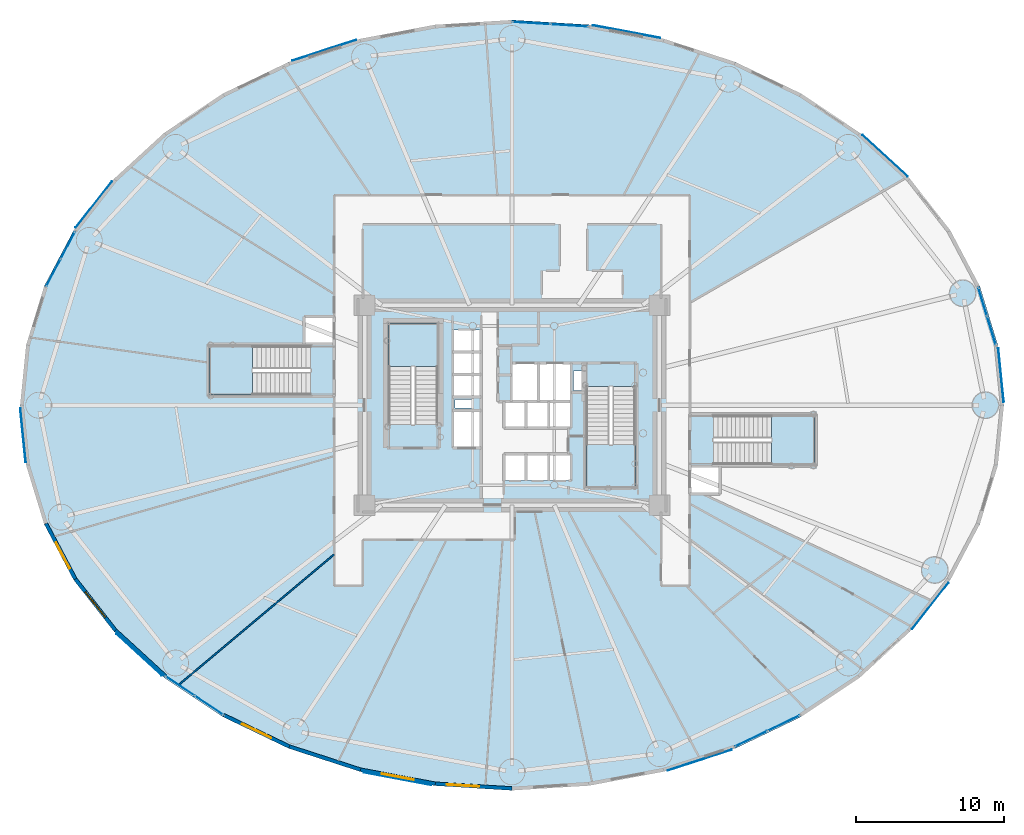
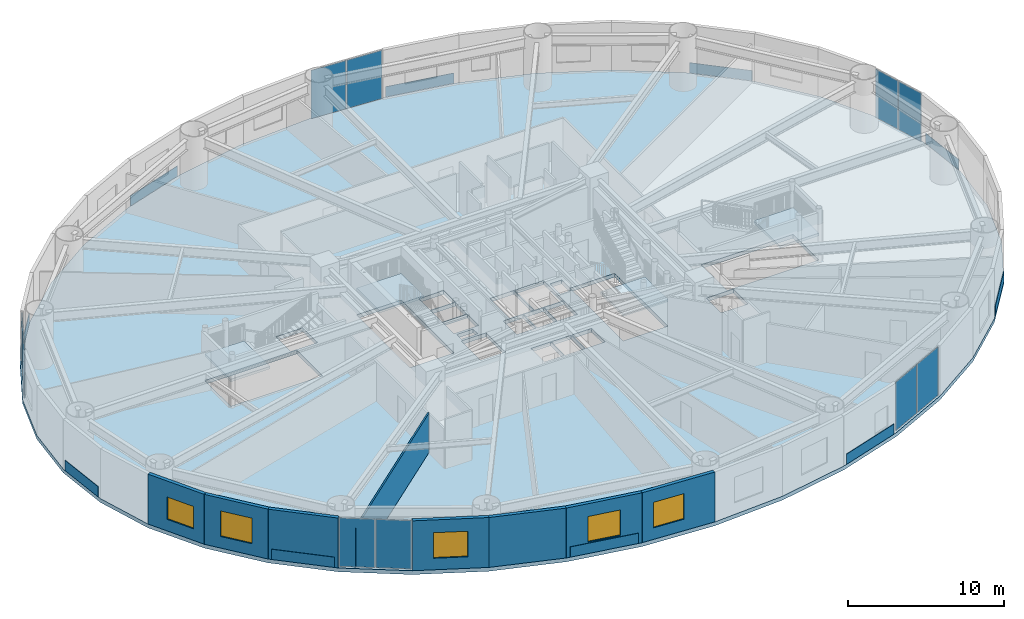
# One storey, part 12 of 27: 20 plates, 8 walls, 5 slabs, 5 windows, 5 openings, 9 elements without a shape of their own.
"""IFC4 building model written with IfcOpenShell, lengths in metres."""

from ifc_helpers import new_model, si_unit, direction, frame, frame_2d, origin, origin_2d, place, context, subcontext, project, spatial, polyline, rectangle, outline, extrude, source, transform, mapped, material, layer, layer_set, type_object, element, fill, aggregate, save


model = new_model("IFC4")

# Units and contexts
model_context = context("Model", 3, precision=1e-05, world=origin(), true_north=direction((0.0, 1.0)))
body_context = subcontext(model_context, "Body", "Model", "MODEL_VIEW")
ifc_project = project(units=[si_unit("LENGTHUNIT", "METRE"), si_unit("AREAUNIT", "SQUARE_METRE"), si_unit("VOLUMEUNIT", "CUBIC_METRE"), si_unit("PLANEANGLEUNIT", "RADIAN"), si_unit("MASSUNIT", "GRAM", prefix="KILO")], contexts=[model_context])

# Site, building, storey
site_placement = place(None, origin())
site = spatial("IfcSite", under=ifc_project, at=site_placement, CompositionType="ELEMENT")
building_placement = place(site_placement, origin())
building = spatial("IfcBuilding", under=site, at=building_placement, Name="Linh Dai School and Residence Tower", CompositionType="ELEMENT")
storey_placement = place(building_placement, frame((0.0, 0.0, 14.39990234375)))
storey = spatial("IfcBuildingStorey", under=building, at=storey_placement, Name="L03", CompositionType="ELEMENT", Elevation=14.39990234375)

# Slab
ifc_material_1 = material(Name="Concrete B45 (C35/45)", Category="concrete")
ifc_layer_1 = layer(ifc_material_1, 0.300048828125)
ifc_layer_set_1 = layer_set([ifc_layer_1], Name="Concrete B45 (C35/45)")
slab_type_1 = type_object("IfcSlabType", Name="SLB-FLR300", PredefinedType="FLOOR", material=ifc_layer_set_1)
slab_1_placement = place(storey_placement, frame((0.0, 0.0, -0.2998046875)))
element("IfcSlab", 1, at=slab_1_placement, inside=storey, type_object=slab_type_1, Name="L03 Composite Structural Floor Slab", PredefinedType="FLOOR", context=body_context, shape_type="SweptSolid", body=[
    extrude(outline(polyline([(69.199951171875, 27.0), (68.791259765625, 31.0673828125), (67.5751953125, 35.034423828125), (65.581298828125, 38.8037109375), (62.859375, 42.282470703125), (59.475830078125, 45.384765625), (55.514404296875, 48.034423828125), (51.072509765625, 50.166259765625), (46.25927734375, 51.7275390625), (41.193603515625, 52.679931640625), (36.0, 53.0), (30.806396484375, 52.679931640625), (25.74072265625, 51.7275390625), (20.927490234375, 50.166259765625), (16.485595703125, 48.034423828125), (12.524169921875, 45.384765625), (9.140625, 42.282470703125), (6.418701171875, 38.8037109375), (4.4248046875, 35.034423828125), (3.208740234375, 31.0673828125), (2.800048828125, 27.0), (3.208740234375, 22.9326171875), (4.4248046875, 18.965576171875), (6.418701171875, 15.1962890625), (9.140625, 11.717529296875), (12.524169921875, 8.615234375), (16.485595703125, 5.965576171875), (20.927490234375, 3.833740234375), (25.74072265625, 2.2724609375), (30.806396484375, 1.320068359375), (36.0, 1.0), (41.193603515625, 1.320068359375), (46.25927734375, 2.2724609375), (51.072509765625, 3.833740234375), (55.514404296875, 5.965576171875), (59.475830078125, 8.615234375), (62.859375, 11.717529296875), (65.581298828125, 15.1962890625), (67.5751953125, 18.965576171875), (68.791259765625, 22.9326171875), (69.199951171875, 27.0)]), holes=[polyline([(30.97998046875, 25.699951171875), (30.97998046875, 32.5), (27.679931640625, 32.5), (27.679931640625, 25.699951171875), (30.97998046875, 25.699951171875)]), polyline([(41.02001953125, 28.25), (41.02001953125, 21.449951171875), (44.320068359375, 21.449951171875), (44.320068359375, 28.25), (41.02001953125, 28.25)]), polyline([(22.39990234375, 31.0), (15.60009765625, 31.0), (15.60009765625, 27.699951171875), (22.39990234375, 27.699951171875), (22.39990234375, 31.0)]), polyline([(49.60009765625, 23.0), (56.39990234375, 23.0), (56.39990234375, 26.300048828125), (49.60009765625, 26.300048828125), (49.60009765625, 23.0)]), polyline([(35.97998046875, 27.280029296875), (37.77001953125, 27.280029296875), (37.77001953125, 29.820068359375), (35.97998046875, 29.820068359375), (35.97998046875, 27.280029296875)]), polyline([(32.030029296875, 24.1298828125), (33.8701171875, 24.1298828125), (33.8701171875, 26.6201171875), (32.030029296875, 26.6201171875), (32.030029296875, 24.1298828125)]), polyline([(37.830078125, 27.280029296875), (39.969970703125, 27.280029296875), (39.969970703125, 29.820068359375), (37.830078125, 29.820068359375), (37.830078125, 27.280029296875)]), polyline([(35.47998046875, 21.929931640625), (36.929931640625, 21.929931640625), (36.929931640625, 23.669921875), (35.47998046875, 23.669921875), (35.47998046875, 21.929931640625)]), polyline([(36.989990234375, 21.929931640625), (38.449951171875, 21.929931640625), (38.449951171875, 23.669921875), (36.989990234375, 23.669921875), (36.989990234375, 21.929931640625)]), polyline([(38.510009765625, 21.929931640625), (39.969970703125, 21.929931640625), (39.969970703125, 23.669921875), (38.510009765625, 23.669921875), (38.510009765625, 21.929931640625)]), polyline([(32.030029296875, 27.580078125), (33.8701171875, 27.580078125), (33.8701171875, 29.030029296875), (32.030029296875, 29.030029296875), (32.030029296875, 27.580078125)]), polyline([(32.030029296875, 29.090087890625), (33.8701171875, 29.090087890625), (33.8701171875, 30.550048828125), (32.030029296875, 30.550048828125), (32.030029296875, 29.090087890625)]), polyline([(32.030029296875, 30.610107421875), (33.8701171875, 30.610107421875), (33.8701171875, 32.070068359375), (32.030029296875, 32.070068359375), (32.030029296875, 30.610107421875)]), polyline([(35.47998046875, 25.47998046875), (36.929931640625, 25.47998046875), (36.929931640625, 27.219970703125), (35.47998046875, 27.219970703125), (35.47998046875, 25.47998046875)]), polyline([(36.989990234375, 25.47998046875), (38.449951171875, 25.47998046875), (38.449951171875, 27.219970703125), (36.989990234375, 27.219970703125), (36.989990234375, 25.47998046875)]), polyline([(38.510009765625, 25.47998046875), (39.969970703125, 25.47998046875), (39.969970703125, 27.219970703125), (38.510009765625, 27.219970703125), (38.510009765625, 25.47998046875)]), polyline([(21.97998046875, 31.080078125), (23.969970703125, 31.080078125), (23.969970703125, 32.969970703125), (21.97998046875, 32.969970703125), (21.97998046875, 31.080078125)]), polyline([(48.030029296875, 21.030029296875), (50.02001953125, 21.030029296875), (50.02001953125, 22.919921875), (48.030029296875, 22.919921875), (48.030029296875, 21.030029296875)]), polyline([(40.14990234375, 28.0), (40.14990234375, 29.300048828125), (41.0, 29.300048828125), (41.0, 28.280029296875), (40.989990234375, 28.280029296875), (40.989990234375, 28.0), (40.14990234375, 28.0)]), polyline([(32.14990234375, 26.800048828125), (33.35009765625, 26.800048828125), (33.35009765625, 27.39990234375), (32.14990234375, 27.39990234375), (32.14990234375, 26.800048828125)])]), origin(), (0.0, 0.0, 1.0), 0.2998046875),
])

# Stair, slab
stair_type = type_object("IfcStairType", Name="ST-DOG-1550-R1500", PredefinedType="HALF_TURN_STAIR", material=ifc_material_1)
stair_1_placement = place(storey_placement, origin())
stair_1 = element("IfcStair", 2, at=stair_1_placement, inside=storey, type_object=stair_type, Name="L03 Core Smokeproof Exit Stair ST1", PredefinedType="HALF_TURN_STAIR")
ifc_layer_2 = layer(ifc_material_1, 0.199951171875)
ifc_layer_set_2 = layer_set([ifc_layer_2], Name="Concrete B45 (C35/45)")
slab_type_2 = type_object("IfcSlabType", Name="SLB-ST-LANDING-200", PredefinedType="LANDING", material=ifc_layer_set_2)
slab_2_placement = place(storey_placement, frame((0.0, 0.0, 1.900146484375)))
slab_2 = element("IfcSlab", 3, at=slab_2_placement, type_object=slab_type_2, Name="ST1 landing 1", PredefinedType="LANDING", context=body_context, shape_type="SweptSolid", body=[
    extrude(outline(polyline([(30.97998046875, 29.60009765625), (30.97998046875, 32.5), (27.679931640625, 32.5), (27.679931640625, 29.60009765625), (30.97998046875, 29.60009765625)])), origin(), (0.0, 0.0, 1.0), 0.199951171875),
])
aggregate(stair_1, [slab_2])

stair_2_placement = place(storey_placement, origin())
stair_2 = element("IfcStair", 4, at=stair_2_placement, inside=storey, type_object=stair_type, Name="L03 Core Smokeproof Exit Stair ST2", PredefinedType="HALF_TURN_STAIR")
slab_3_placement = place(storey_placement, frame((0.0, 0.0, 1.900146484375)))
slab_3 = element("IfcSlab", 5, at=slab_3_placement, type_object=slab_type_2, Name="ST2 landing 1", PredefinedType="LANDING", context=body_context, shape_type="SweptSolid", body=[
    extrude(outline(polyline([(41.02001953125, 24.35009765625), (41.02001953125, 21.449951171875), (44.320068359375, 21.449951171875), (44.320068359375, 24.35009765625), (41.02001953125, 24.35009765625)])), origin(), (0.0, 0.0, 1.0), 0.199951171875),
])
aggregate(stair_2, [slab_3])

stair_3_placement = place(storey_placement, origin())
stair_3 = element("IfcStair", 6, at=stair_3_placement, inside=storey, type_object=stair_type, Name="L03 School Exit Stair STS1", PredefinedType="HALF_TURN_STAIR")
slab_4_placement = place(storey_placement, frame((0.0, 0.0, 1.900146484375)))
slab_4 = element("IfcSlab", 7, at=slab_4_placement, type_object=slab_type_2, Name="STS1 landing 1", PredefinedType="LANDING", context=body_context, shape_type="SweptSolid", body=[
    extrude(outline(polyline([(18.5, 31.0), (15.60009765625, 31.0), (15.60009765625, 27.699951171875), (18.5, 27.699951171875), (18.5, 31.0)])), origin(), (0.0, 0.0, 1.0), 0.199951171875),
])
aggregate(stair_3, [slab_4])

stair_4_placement = place(storey_placement, origin())
stair_4 = element("IfcStair", 8, at=stair_4_placement, inside=storey, type_object=stair_type, Name="L03 School Exit Stair STS2", PredefinedType="HALF_TURN_STAIR")
slab_5_placement = place(storey_placement, frame((0.0, 0.0, 1.900146484375)))
slab_5 = element("IfcSlab", 9, at=slab_5_placement, type_object=slab_type_2, Name="STS2 landing 1", PredefinedType="LANDING", context=body_context, shape_type="SweptSolid", body=[
    extrude(outline(polyline([(53.5, 23.0), (56.39990234375, 23.0), (56.39990234375, 26.300048828125), (53.5, 26.300048828125), (53.5, 23.0)])), origin(), (0.0, 0.0, 1.0), 0.199951171875),
])
aggregate(stair_4, [slab_5])

# Plates
ifc_material_2 = material(Name="Terracotta Rainscreen Cladding", Category="masonry")
ifc_layer_3 = layer(ifc_material_2, 0.0400390625)
ifc_layer_set_3 = layer_set([ifc_layer_3], Name="Terracotta Rainscreen Cladding")
plate_type_1 = type_object("IfcPlateType", Name="PLT-TC-SPANDREL", PredefinedType="SHEET", material=ifc_layer_set_3)
shared_shape_1 = source(origin(), body_context, "Body", "SweptSolid", [
    extrude(rectangle(XDim=3.656494140625, YDim=0.0400390625, at=origin_2d()), origin(), (0.0, 0.0, 1.0), 0.800048828125),
])
for number, where, z_axis, x_axis, name in (
    (10, (69.006103515625, 29.03466796875, 0.02001953125), (0.0, 0.0, 1.0), (0.099995480682, -0.994987891305, 0.0), "L03 Terracotta Spandrel Sheet 01"),
    (11, (2.993896484375, 24.96533203125, 0.02001953125), (0.0, 0.0, 1.0), (-0.099995480682, 0.994987891305, 0.0), "L03 Terracotta Spandrel Sheet 21"),
):
    element("IfcPlate", number, at=place(storey_placement, frame(where, z_axis=z_axis, x_axis=x_axis)), inside=storey, type_object=plate_type_1, Name=name, PredefinedType="SHEET", context=body_context, shape_type="MappedRepresentation", body=[
        mapped(shared_shape_1, transform((0.0, 0.0, 0.0), x_axis=(1.0, 0.0, 0.0), y_axis=(0.0, 1.0, 0.0), z_axis=(0.0, 0.0, 1.0), scale=1.0)),
    ])

# Curtain wall, plates
ifc_material_3 = material(Name="Aluminium Anodised Curtain Wall", Category="aluminium")
ifc_layer_4 = layer(ifc_material_3, 0.169921875)
ifc_layer_set_4 = layer_set([ifc_layer_4], Name="Aluminium Anodised Curtain Wall")
curtain_wall_type = type_object("IfcCurtainWallType", Name="CW-SYS-2", PredefinedType="USERDEFINED", material=ifc_layer_set_4)
curtain_wall_1_placement = place(storey_placement, origin())
curtain_wall_1 = element("IfcCurtainWall", 12, at=curtain_wall_1_placement, inside=storey, type_object=curtain_wall_type, Name="L03 CW2 Curtain Wall 02", ObjectType="UNITISED CURTAIN WALL", PredefinedType="USERDEFINED")
ifc_material_4 = material(Name="Double Low-E Insulated Glazing", Category="glass")
ifc_layer_5 = layer(ifc_material_4, 0.030029296875)
ifc_layer_set_5 = layer_set([ifc_layer_5], Name="Double Low-E Insulated Glazing")
plate_type_2 = type_object("IfcPlateType", Name="CW-SYS-2-PAN", PredefinedType="CURTAIN_PANEL", material=ifc_layer_set_5)
shared_shape_2 = source(origin(), body_context, "Body", "SweptSolid", [
    extrude(rectangle(XDim=1.97265625, YDim=0.030029296875, at=origin_2d()), origin(), (0.0, 0.0, 1.0), 3.780029296875),
])
plate_1_placement = place(storey_placement, frame((67.766357421875, 33.986083984375, 0.06005859375), z_axis=(0.0, 0.0, 1.0), x_axis=(0.293103659962, -0.956080668415, 0.0)))
plate_1 = element("IfcPlate", 13, at=plate_1_placement, type_object=plate_type_2, Name="CW2 panel 1.1", PredefinedType="CURTAIN_PANEL", context=body_context, shape_type="MappedRepresentation", body=[
    mapped(shared_shape_2, transform((0.0, 0.0, 0.0), x_axis=(1.0, 0.0, 0.0), y_axis=(0.0, 1.0, 0.0), z_axis=(0.0, 0.0, 1.0), scale=1.0)),
])
plate_2_placement = place(storey_placement, frame((68.362060546875, 32.04296875, 0.06005859375), z_axis=(0.0, 0.0, 1.0), x_axis=(0.293103659962, -0.956080668415, 0.0)))
plate_2 = element("IfcPlate", 14, at=plate_2_placement, type_object=plate_type_2, Name="CW2 panel 2.1", PredefinedType="CURTAIN_PANEL", context=body_context, shape_type="MappedRepresentation", body=[
    mapped(shared_shape_2, transform((0.0, 0.0, 0.0), x_axis=(1.0, 0.0, 0.0), y_axis=(0.0, 1.0, 0.0), z_axis=(0.0, 0.0, 1.0), scale=1.0)),
])
aggregate(curtain_wall_1, [plate_1, plate_2])

# Plates
shared_shape_3 = source(origin(), body_context, "Body", "SweptSolid", [
    extrude(rectangle(XDim=4.113525390625, YDim=0.0400390625, at=origin_2d()), origin(), (0.0, 0.0, 1.0), 0.800048828125),
])
for number, where, z_axis, x_axis, name in (
    (15, (61.174560546875, 43.84130859375, 0.02001953125), (0.0, 0.0, 1.0), (0.737062771311, -0.675824290143, 0.0), "L03 Terracotta Spandrel Sheet 05"),
    (16, (10.825439453125, 10.15869140625, 0.02001953125), (0.0, 0.0, 1.0), (-0.737061772031, 0.675825379969, 0.0), "L03 Terracotta Spandrel Sheet 25"),
):
    element("IfcPlate", number, at=place(storey_placement, frame(where, z_axis=z_axis, x_axis=x_axis)), inside=storey, type_object=plate_type_1, Name=name, PredefinedType="SHEET", context=body_context, shape_type="MappedRepresentation", body=[
        mapped(shared_shape_3, transform((0.0, 0.0, 0.0), x_axis=(1.0, 0.0, 0.0), y_axis=(0.0, 1.0, 0.0), z_axis=(0.0, 0.0, 1.0), scale=1.0)),
    ])
shared_shape_4 = source(origin(), body_context, "Body", "SweptSolid", [
    extrude(rectangle(XDim=4.625, YDim=0.0400390625, at=origin_2d()), origin(), (0.0, 0.0, 1.0), 0.800048828125),
])
for number, where, z_axis, x_axis, name in (
    (17, (43.728271484375, 52.2138671875, 0.02001953125), (0.0, 0.0, 1.0), (0.982780818112, -0.184775170275, 0.0), "L03 Terracotta Spandrel Sheet 09"),
    (18, (28.271728515625, 1.7861328125, 0.02001953125), (0.0, 0.0, 1.0), (-0.982780818112, 0.184775170275, 0.0), "L03 Terracotta Spandrel Sheet 29"),
):
    element("IfcPlate", number, at=place(storey_placement, frame(where, z_axis=z_axis, x_axis=x_axis)), inside=storey, type_object=plate_type_1, Name=name, PredefinedType="SHEET", context=body_context, shape_type="MappedRepresentation", body=[
        mapped(shared_shape_4, transform((0.0, 0.0, 0.0), x_axis=(1.0, 0.0, 0.0), y_axis=(0.0, 1.0, 0.0), z_axis=(0.0, 0.0, 1.0), scale=1.0)),
    ])

# Curtain wall, plates
curtain_wall_2_placement = place(storey_placement, origin())
curtain_wall_2 = element("IfcCurtainWall", 19, at=curtain_wall_2_placement, inside=storey, type_object=curtain_wall_type, Name="L03 CW2 Curtain Wall 10", ObjectType="UNITISED CURTAIN WALL", PredefinedType="USERDEFINED")
shared_shape_5 = source(origin(), body_context, "Body", "SweptSolid", [
    extrude(rectangle(XDim=2.504150390625, YDim=0.030029296875, at=origin_2d()), origin(), (0.0, 0.0, 1.0), 3.780029296875),
])
plate_3_placement = place(storey_placement, frame((37.3095703125, 52.794189453125, 0.06005859375), z_axis=(0.0, 0.0, 1.0), x_axis=(0.998106086185, -0.061516182598, 0.0)))
plate_3 = element("IfcPlate", 20, at=plate_3_placement, type_object=plate_type_2, Name="CW2 panel 1.1", PredefinedType="CURTAIN_PANEL", context=body_context, shape_type="MappedRepresentation", body=[
    mapped(shared_shape_5, transform((0.0, 0.0, 0.0), x_axis=(1.0, 0.0, 0.0), y_axis=(0.0, 1.0, 0.0), z_axis=(0.0, 0.0, 1.0), scale=1.0)),
])
plate_4_placement = place(storey_placement, frame((39.86865234375, 52.636474609375, 0.06005859375), z_axis=(0.0, 0.0, 1.0), x_axis=(0.998106086185, -0.061516182598, 0.0)))
plate_4 = element("IfcPlate", 21, at=plate_4_placement, type_object=plate_type_2, Name="CW2 panel 2.1", PredefinedType="CURTAIN_PANEL", context=body_context, shape_type="MappedRepresentation", body=[
    mapped(shared_shape_5, transform((0.0, 0.0, 0.0), x_axis=(1.0, 0.0, 0.0), y_axis=(0.0, 1.0, 0.0), z_axis=(0.0, 0.0, 1.0), scale=1.0)),
])
aggregate(curtain_wall_2, [plate_3, plate_4])

# Plates
shared_shape_6 = source(origin(), body_context, "Body", "SweptSolid", [
    extrude(rectangle(XDim=4.539306640625, YDim=0.0400390625, at=origin_2d()), origin(), (0.0, 0.0, 1.0), 0.800048828125),
])
for number, where, z_axis, x_axis, name in (
    (22, (23.3310546875, 50.95654296875, 0.02001953125), (0.0, 0.0, 1.0), (0.951206809592, 0.308554055858, 0.0), "L03 Terracotta Spandrel Sheet 13"),
    (23, (48.6689453125, 3.04345703125, 0.02001953125), (0.0, 0.0, 1.0), (-0.951206809592, -0.308554055858, 0.0), "L03 Terracotta Spandrel Sheet 33"),
):
    element("IfcPlate", number, at=place(storey_placement, frame(where, z_axis=z_axis, x_axis=x_axis)), inside=storey, type_object=plate_type_1, Name=name, PredefinedType="SHEET", context=body_context, shape_type="MappedRepresentation", body=[
        mapped(shared_shape_6, transform((0.0, 0.0, 0.0), x_axis=(1.0, 0.0, 0.0), y_axis=(0.0, 1.0, 0.0), z_axis=(0.0, 0.0, 1.0), scale=1.0)),
    ])
shared_shape_7 = source(origin(), body_context, "Body", "SweptSolid", [
    extrude(rectangle(XDim=3.956298828125, YDim=0.0400390625, at=origin_2d()), origin(), (0.0, 0.0, 1.0), 0.800048828125),
])
for number, where, z_axis, x_axis, name in (
    (24, (7.771484375, 40.5498046875, 0.02001953125), (0.0, 0.0, 1.0), (0.616260230785, 0.787542588025, 0.0), "L03 Terracotta Spandrel Sheet 17"),
    (25, (64.228515625, 13.4501953125, 0.02001953125), (0.0, 0.0, 1.0), (-0.616260230785, -0.787542588025, 0.0), "L03 Terracotta Spandrel Sheet 37"),
):
    element("IfcPlate", number, at=place(storey_placement, frame(where, z_axis=z_axis, x_axis=x_axis)), inside=storey, type_object=plate_type_1, Name=name, PredefinedType="SHEET", context=body_context, shape_type="MappedRepresentation", body=[
        mapped(shared_shape_7, transform((0.0, 0.0, 0.0), x_axis=(1.0, 0.0, 0.0), y_axis=(0.0, 1.0, 0.0), z_axis=(0.0, 0.0, 1.0), scale=1.0)),
    ])

# Curtain wall, plates
curtain_wall_3_placement = place(storey_placement, origin())
curtain_wall_3 = element("IfcCurtainWall", 26, at=curtain_wall_3_placement, inside=storey, type_object=curtain_wall_type, Name="L03 CW2 Curtain Wall 18", ObjectType="UNITISED CURTAIN WALL", PredefinedType="USERDEFINED")
shared_shape_8 = source(origin(), body_context, "Body", "SweptSolid", [
    extrude(rectangle(XDim=2.030517578125, YDim=0.030029296875, at=origin_2d()), origin(), (0.0, 0.0, 1.0), 3.780029296875),
])
plate_5_placement = place(storey_placement, frame((5.043212890625, 35.93701171875, 0.06005859375), z_axis=(0.0, 0.0, 1.0), x_axis=(0.467555104298, 0.883963927118, 0.0)))
plate_5 = element("IfcPlate", 27, at=plate_5_placement, type_object=plate_type_2, Name="CW2 panel 1.1", PredefinedType="CURTAIN_PANEL", context=body_context, shape_type="MappedRepresentation", body=[
    mapped(shared_shape_8, transform((0.0, 0.0, 0.0), x_axis=(1.0, 0.0, 0.0), y_axis=(0.0, 1.0, 0.0), z_axis=(0.0, 0.0, 1.0), scale=1.0)),
])
plate_6_placement = place(storey_placement, frame((6.0205078125, 37.78515625, 0.06005859375), z_axis=(0.0, 0.0, 1.0), x_axis=(0.467555104298, 0.883963927118, 0.0)))
plate_6 = element("IfcPlate", 28, at=plate_6_placement, type_object=plate_type_2, Name="CW2 panel 2.1", PredefinedType="CURTAIN_PANEL", context=body_context, shape_type="MappedRepresentation", body=[
    mapped(shared_shape_8, transform((0.0, 0.0, 0.0), x_axis=(1.0, 0.0, 0.0), y_axis=(0.0, 1.0, 0.0), z_axis=(0.0, 0.0, 1.0), scale=1.0)),
])
aggregate(curtain_wall_3, [plate_5, plate_6])

curtain_wall_4_placement = place(storey_placement, origin())
curtain_wall_4 = element("IfcCurtainWall", 29, at=curtain_wall_4_placement, inside=storey, type_object=curtain_wall_type, Name="L03 CW2 Curtain Wall 26", ObjectType="UNITISED CURTAIN WALL", PredefinedType="USERDEFINED")
shared_shape_9 = source(origin(), body_context, "Body", "SweptSolid", [
    extrude(rectangle(XDim=2.28369140625, YDim=0.030029296875, at=origin_2d()), origin(), (0.0, 0.0, 1.0), 3.780029296875),
])
plate_7_placement = place(storey_placement, frame((15.54833984375, 6.742431640625, 0.06005859375), z_axis=(0.0, 0.0, 1.0), x_axis=(-0.831211344437, 0.555956563843, 0.0)))
plate_7 = element("IfcPlate", 30, at=plate_7_placement, type_object=plate_type_2, Name="CW2 panel 1.1", PredefinedType="CURTAIN_PANEL", context=body_context, shape_type="MappedRepresentation", body=[
    mapped(shared_shape_9, transform((0.0, 0.0, 0.0), x_axis=(1.0, 0.0, 0.0), y_axis=(0.0, 1.0, 0.0), z_axis=(0.0, 0.0, 1.0), scale=1.0)),
])
plate_8_placement = place(storey_placement, frame((13.60009765625, 8.04541015625, 0.06005859375), z_axis=(0.0, 0.0, 1.0), x_axis=(-0.831211344437, 0.555956563843, 0.0)))
plate_8 = element("IfcPlate", 31, at=plate_8_placement, type_object=plate_type_2, Name="CW2 panel 2.1", PredefinedType="CURTAIN_PANEL", context=body_context, shape_type="MappedRepresentation", body=[
    mapped(shared_shape_9, transform((0.0, 0.0, 0.0), x_axis=(1.0, 0.0, 0.0), y_axis=(0.0, 1.0, 0.0), z_axis=(0.0, 0.0, 1.0), scale=1.0)),
])
aggregate(curtain_wall_4, [plate_7, plate_8])

curtain_wall_5_placement = place(storey_placement, origin())
curtain_wall_5 = element("IfcCurtainWall", 32, at=curtain_wall_5_placement, inside=storey, type_object=curtain_wall_type, Name="L03 CW2 Curtain Wall 34", ObjectType="UNITISED CURTAIN WALL", PredefinedType="USERDEFINED")
shared_shape_10 = source(origin(), body_context, "Body", "SweptSolid", [
    extrude(rectangle(XDim=2.364990234375, YDim=0.030029296875, at=origin_2d()), origin(), (0.0, 0.0, 1.0), 3.780029296875),
])
plate_9_placement = place(storey_placement, frame((54.33251953125, 5.53662109375, 0.06005859375), z_axis=(0.0, 0.0, 1.0), x_axis=(-0.901558428479, -0.432657370259, 0.0)))
plate_9 = element("IfcPlate", 33, at=plate_9_placement, type_object=plate_type_2, Name="CW2 panel 1.1", PredefinedType="CURTAIN_PANEL", context=body_context, shape_type="MappedRepresentation", body=[
    mapped(shared_shape_10, transform((0.0, 0.0, 0.0), x_axis=(1.0, 0.0, 0.0), y_axis=(0.0, 1.0, 0.0), z_axis=(0.0, 0.0, 1.0), scale=1.0)),
])
plate_10_placement = place(storey_placement, frame((52.146240234375, 4.487548828125, 0.06005859375), z_axis=(0.0, 0.0, 1.0), x_axis=(-0.901558428479, -0.432657370259, 0.0)))
plate_10 = element("IfcPlate", 34, at=plate_10_placement, type_object=plate_type_2, Name="CW2 panel 2.1", PredefinedType="CURTAIN_PANEL", context=body_context, shape_type="MappedRepresentation", body=[
    mapped(shared_shape_10, transform((0.0, 0.0, 0.0), x_axis=(1.0, 0.0, 0.0), y_axis=(0.0, 1.0, 0.0), z_axis=(0.0, 0.0, 1.0), scale=1.0)),
])
aggregate(curtain_wall_5, [plate_9, plate_10])

# Wall, opening, window
ifc_material_5 = material(Name="Precast Concrete B45 (C35/45)", Category="concrete")
ifc_layer_6 = layer(ifc_material_5, 0.25)
ifc_layer_set_6 = layer_set([ifc_layer_6], Name="Precast Concrete B45 (C35/45)")
wall_type_1 = type_object("IfcWallType", Name="EW-TC-250", PredefinedType="SOLIDWALL", material=ifc_layer_set_6)
wall_1_placement = place(storey_placement, frame((6.5234375, 15.264404296875, 0.0), z_axis=(0.0, 0.0, 1.0), x_axis=(-0.467588829866, 0.883946087827, 0.0)))
wall_1 = element("IfcWall", 35, at=wall_1_placement, inside=storey, type_object=wall_type_1, Name="L03 Terracotta Exterior Wall 23", PredefinedType="SOLIDWALL", context=body_context, shape_type="SweptSolid", body=[
    extrude(rectangle(XDim=4.2412109375, YDim=0.25, at=frame_2d((2.12060546875, 0.0))), origin(), (0.0, 0.0, 1.0), 3.900146484375),
])
opening_1_placement = place(wall_1_placement, frame((0.795166015625, 0.0, 0.89990234375)))
opening_1 = element("IfcOpeningElement", 36, at=opening_1_placement, cuts=wall_1, Name="Opening W1", PredefinedType="OPENING", context=body_context, shape_type="SweptSolid", body=[
    extrude(rectangle(XDim=2.0, YDim=1.75, at=origin_2d()), frame((1.0, 0.135009765625, 0.875), z_axis=(0.0, -1.0, 0.0), x_axis=(1.0, 0.0, 0.0)), (0.0, 0.0, 1.0), 0.27001953125),
])
window_type_1 = type_object("IfcWindowType", Name="WN-RES-2000x1750", PartitioningType="DOUBLE_PANEL_VERTICAL", PredefinedType="WINDOW", material=ifc_material_4)
shared_shape_11 = source(origin(), body_context, "Body", "SweptSolid", [
    extrude(rectangle(XDim=2.0, YDim=1.75, at=origin_2d()), frame((1.0, 0.030029296875, 0.875), z_axis=(0.0, -1.0, 0.0), x_axis=(1.0, 0.0, 0.0)), (0.0, 0.0, 1.0), 0.06005859375),
])
window_1_placement = place(opening_1_placement, origin())
window_1 = element("IfcWindow", 37, at=window_1_placement, inside=storey, type_object=window_type_1, Name="L03 Exterior Window 23.1", OverallHeight=1.75, OverallWidth=2.0, PartitioningType="DOUBLE_PANEL_VERTICAL", PredefinedType="WINDOW", context=body_context, shape_type="MappedRepresentation", body=[
    mapped(shared_shape_11, transform((0.0, 0.0, 0.0), x_axis=(1.0, 0.0, 0.0), y_axis=(0.0, 1.0, 0.0), z_axis=(0.0, 0.0, 1.0), scale=1.0)),
])
fill(opening_1, window_1)

wall_2_placement = place(storey_placement, frame((9.232177734375, 11.802490234375, 0.0), z_axis=(0.0, 0.0, 1.0), x_axis=(-0.61622589112, 0.787569457961, 0.0)))
wall_2 = element("IfcWall", 38, at=wall_2_placement, inside=storey, type_object=wall_type_1, Name="L03 Terracotta Exterior Wall 24", PredefinedType="SOLIDWALL", context=body_context, shape_type="SweptSolid", body=[
    extrude(rectangle(XDim=4.395751953125, YDim=0.25, at=frame_2d((2.19775390625, 0.0))), origin(), (0.0, 0.0, 1.0), 3.900146484375),
])
opening_2_placement = place(wall_2_placement, frame((1.09765625, 0.0, 0.89990234375)))
opening_2 = element("IfcOpeningElement", 39, at=opening_2_placement, cuts=wall_2, Name="Opening W4", PredefinedType="OPENING", context=body_context, shape_type="SweptSolid", body=[
    extrude(rectangle(XDim=2.199951171875, YDim=2.0, at=origin_2d()), frame((1.10009765625, 0.135009765625, 1.0), z_axis=(0.0, -1.0, 0.0), x_axis=(1.0, 0.0, 0.0)), (0.0, 0.0, 1.0), 0.27001953125),
])
ifc_material_6 = material(Name="Acoustic Laminated Low-E Glazing", Category="glass")
window_type_2 = type_object("IfcWindowType", Name="WN-SCH-2200x2000", PartitioningType="TRIPLE_PANEL_VERTICAL", PredefinedType="WINDOW", material=ifc_material_6)
shared_shape_12 = source(origin(), body_context, "Body", "SweptSolid", [
    extrude(rectangle(XDim=2.199951171875, YDim=2.0, at=origin_2d()), frame((1.10009765625, 0.030029296875, 1.0), z_axis=(0.0, -1.0, 0.0), x_axis=(1.0, 0.0, 0.0)), (0.0, 0.0, 1.0), 0.06005859375),
])
window_2_placement = place(opening_2_placement, origin())
window_2 = element("IfcWindow", 40, at=window_2_placement, inside=storey, type_object=window_type_2, Name="L03 Exterior Window 24.1", OverallHeight=2.0, OverallWidth=2.199951171875, PartitioningType="TRIPLE_PANEL_VERTICAL", PredefinedType="WINDOW", context=body_context, shape_type="MappedRepresentation", body=[
    mapped(shared_shape_12, transform((0.0, 0.0, 0.0), x_axis=(1.0, 0.0, 0.0), y_axis=(0.0, 1.0, 0.0), z_axis=(0.0, 0.0, 1.0), scale=1.0)),
])
fill(opening_2, window_2)

# Wall
wall_3_placement = place(storey_placement, frame((12.60107421875, 8.713623046875, 0.0), z_axis=(0.0, 0.0, 1.0), x_axis=(-0.737076532105, 0.675809282136, 0.0)))
element("IfcWall", 41, at=wall_3_placement, inside=storey, type_object=wall_type_1, Name="L03 Terracotta Exterior Wall 25", PredefinedType="SOLIDWALL", context=body_context, shape_type="SweptSolid", body=[
    extrude(rectangle(XDim=4.570556640625, YDim=0.25, at=frame_2d((2.28515625, 0.0))), origin(), (0.0, 0.0, 1.0), 3.900146484375),
])

# Wall, opening, window
wall_4_placement = place(storey_placement, frame((20.973876953125, 3.949951171875, 0.0), z_axis=(0.0, 0.0, 1.0), x_axis=(-0.901559523397, 0.432655088692, 0.0)))
wall_4 = element("IfcWall", 42, at=wall_4_placement, inside=storey, type_object=wall_type_1, Name="L03 Terracotta Exterior Wall 27", PredefinedType="SOLIDWALL", context=body_context, shape_type="SweptSolid", body=[
    extrude(rectangle(XDim=4.909912109375, YDim=0.25, at=frame_2d((2.455078125, 0.0))), origin(), (0.0, 0.0, 1.0), 3.900146484375),
])
opening_3_placement = place(wall_4_placement, frame((1.354736328125, 0.0, 0.89990234375)))
opening_3 = element("IfcOpeningElement", 43, at=opening_3_placement, cuts=wall_4, Name="Opening W4", PredefinedType="OPENING", context=body_context, shape_type="SweptSolid", body=[
    extrude(rectangle(XDim=2.199951171875, YDim=2.0, at=origin_2d()), frame((1.10009765625, 0.135009765625, 1.0), z_axis=(0.0, -1.0, 0.0), x_axis=(1.0, 0.0, 0.0)), (0.0, 0.0, 1.0), 0.27001953125),
])
window_3_placement = place(opening_3_placement, origin())
window_3 = element("IfcWindow", 44, at=window_3_placement, inside=storey, type_object=window_type_2, Name="L03 Exterior Window 27.1", OverallHeight=2.0, OverallWidth=2.199951171875, PartitioningType="TRIPLE_PANEL_VERTICAL", PredefinedType="WINDOW", context=body_context, shape_type="MappedRepresentation", body=[
    mapped(shared_shape_12, transform((0.0, 0.0, 0.0), x_axis=(1.0, 0.0, 0.0), y_axis=(0.0, 1.0, 0.0), z_axis=(0.0, 0.0, 1.0), scale=1.0)),
])
fill(opening_3, window_3)

# Wall
wall_5_placement = place(storey_placement, frame((25.771484375, 2.3935546875, 0.0), z_axis=(0.0, 0.0, 1.0), x_axis=(-0.951198629726, 0.308579271513, 0.0)))
element("IfcWall", 45, at=wall_5_placement, inside=storey, type_object=wall_type_1, Name="L03 Terracotta Exterior Wall 28", PredefinedType="SOLIDWALL", context=body_context, shape_type="SweptSolid", body=[
    extrude(rectangle(XDim=5.043701171875, YDim=0.25, at=frame_2d((2.52197265625, 0.0))), origin(), (0.0, 0.0, 1.0), 3.900146484375),
])

# Wall, opening, window
wall_6_placement = place(storey_placement, frame((30.82177734375, 1.444091796875, 0.0), z_axis=(0.0, 0.0, 1.0), x_axis=(-0.98278278947, 0.184764684726, 0.0)))
wall_6 = element("IfcWall", 46, at=wall_6_placement, inside=storey, type_object=wall_type_1, Name="L03 Terracotta Exterior Wall 29", PredefinedType="SOLIDWALL", context=body_context, shape_type="SweptSolid", body=[
    extrude(rectangle(XDim=5.138671875, YDim=0.25, at=frame_2d((2.5693359375, 0.0))), origin(), (0.0, 0.0, 1.0), 3.900146484375),
])
opening_4_placement = place(wall_6_placement, frame((1.469482421875, 0.0, 0.89990234375)))
opening_4 = element("IfcOpeningElement", 47, at=opening_4_placement, cuts=wall_6, Name="Opening W4", PredefinedType="OPENING", context=body_context, shape_type="SweptSolid", body=[
    extrude(rectangle(XDim=2.199951171875, YDim=2.0, at=origin_2d()), frame((1.10009765625, 0.135009765625, 1.0), z_axis=(0.0, -1.0, 0.0), x_axis=(1.0, 0.0, 0.0)), (0.0, 0.0, 1.0), 0.27001953125),
])
window_4_placement = place(opening_4_placement, origin())
window_4 = element("IfcWindow", 48, at=window_4_placement, inside=storey, type_object=window_type_2, Name="L03 Exterior Window 29.1", OverallHeight=2.0, OverallWidth=2.199951171875, PartitioningType="TRIPLE_PANEL_VERTICAL", PredefinedType="WINDOW", context=body_context, shape_type="MappedRepresentation", body=[
    mapped(shared_shape_12, transform((0.0, 0.0, 0.0), x_axis=(1.0, 0.0, 0.0), y_axis=(0.0, 1.0, 0.0), z_axis=(0.0, 0.0, 1.0), scale=1.0)),
])
fill(opening_4, window_4)

wall_7_placement = place(storey_placement, frame((36.0, 1.125, 0.0), z_axis=(0.0, 0.0, 1.0), x_axis=(-0.998106762298, 0.061505211614, 0.0)))
wall_7 = element("IfcWall", 49, at=wall_7_placement, inside=storey, type_object=wall_type_1, Name="L03 Terracotta Exterior Wall 30", PredefinedType="SOLIDWALL", context=body_context, shape_type="SweptSolid", body=[
    extrude(rectangle(XDim=5.18798828125, YDim=0.25, at=frame_2d((2.593994140625, 0.0))), origin(), (0.0, 0.0, 1.0), 3.900146484375),
])
opening_5_placement = place(wall_7_placement, frame((2.2021484375, 0.0, 0.89990234375)))
opening_5 = element("IfcOpeningElement", 50, at=opening_5_placement, cuts=wall_7, Name="Opening W4", PredefinedType="OPENING", context=body_context, shape_type="SweptSolid", body=[
    extrude(rectangle(XDim=2.199951171875, YDim=2.0, at=origin_2d()), frame((1.10009765625, 0.135009765625, 1.0), z_axis=(0.0, -1.0, 0.0), x_axis=(1.0, 0.0, 0.0)), (0.0, 0.0, 1.0), 0.27001953125),
])
window_5_placement = place(opening_5_placement, origin())
window_5 = element("IfcWindow", 51, at=window_5_placement, inside=storey, type_object=window_type_2, Name="L03 Exterior Window 30.1", OverallHeight=2.0, OverallWidth=2.199951171875, PartitioningType="TRIPLE_PANEL_VERTICAL", PredefinedType="WINDOW", context=body_context, shape_type="MappedRepresentation", body=[
    mapped(shared_shape_12, transform((0.0, 0.0, 0.0), x_axis=(1.0, 0.0, 0.0), y_axis=(0.0, 1.0, 0.0), z_axis=(0.0, 0.0, 1.0), scale=1.0)),
])
fill(opening_5, window_5)

# Wall
ifc_material_7 = material(Name="Acoustic Operable Timber Panel Partition", Category="wood")
ifc_layer_7 = layer(ifc_material_7, 0.110107421875)
ifc_layer_set_7 = layer_set([ifc_layer_7], Name="Acoustic Operable Timber Panel Partition")
wall_type_2 = type_object("IfcWallType", Name="IW-MOV-110", PredefinedType="MOVABLE", material=ifc_layer_set_7)
wall_8_placement = place(storey_placement, frame((13.49072265625, 8.112548828125, 0.0), z_axis=(0.0, 0.0, 1.0), x_axis=(0.766043415451, 0.642788834412, 0.0)))
element("IfcWall", 52, at=wall_8_placement, inside=storey, type_object=wall_type_2, Name="L03 Interior Partition Wall 004", PredefinedType="MOVABLE", context=body_context, shape_type="SweptSolid", body=[
    extrude(rectangle(XDim=13.718994140625, YDim=0.110107421875, at=frame_2d((6.859375, 0.0))), origin(), (0.0, 0.0, 1.0), 3.085205078125),
])

save(model, "model.ifc")
